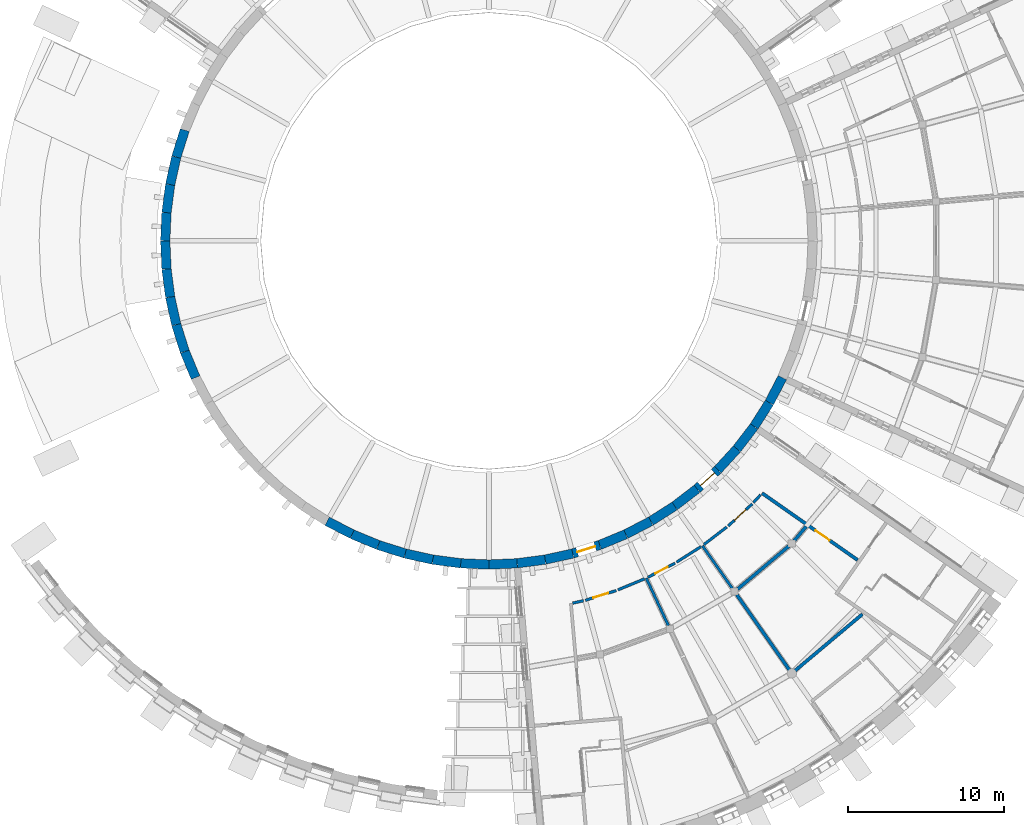
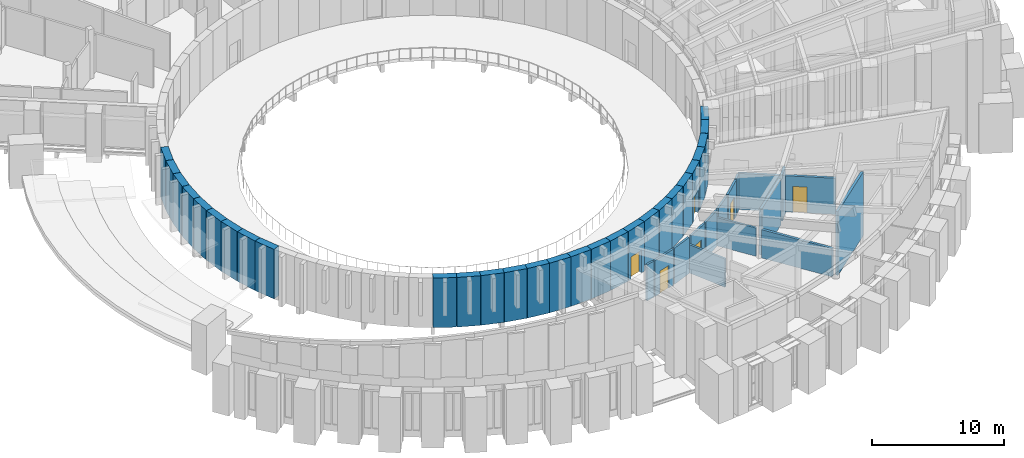
# One storey, part 25 of 50: 43 walls, 6 doors, 6 openings.
"""IFC4 building model written with IfcOpenShell, lengths in metres."""

from ifc_helpers import new_model, si_unit, direction, frame, frame_2d, origin, place, context, subcontext, project, spatial, rectangle, extrude, material, layer, layer_set, type_object, element, fill, save


model = new_model("IFC4")

# Units and contexts
model_context = context("Model", 3, precision=1e-05, world=origin(), true_north=direction((0.0, 1.0)))
body_context = subcontext(model_context, "Body", "Model", "MODEL_VIEW")
ifc_project = project(units=[si_unit("LENGTHUNIT", "METRE"), si_unit("AREAUNIT", "SQUARE_METRE"), si_unit("VOLUMEUNIT", "CUBIC_METRE"), si_unit("PLANEANGLEUNIT", "RADIAN"), si_unit("MASSUNIT", "GRAM", prefix="KILO")], contexts=[model_context])

# Site, building, storey
site_placement = place(None, origin())
site = spatial("IfcSite", under=ifc_project, at=site_placement, CompositionType="ELEMENT")
building_placement = place(site_placement, origin())
building = spatial("IfcBuilding", under=site, at=building_placement, Name="Volute Hill Aquarium", CompositionType="ELEMENT")
storey_placement = place(building_placement, frame((0.0, 0.0, 9.199951171875)))
storey = spatial("IfcBuildingStorey", under=building, at=storey_placement, Name="L03", CompositionType="ELEMENT", Elevation=9.199951171875)

# Walls
ifc_material_1 = material(Name="Gypsum board on steel studs", Category="steel")
ifc_layer_1 = layer(ifc_material_1, 0.175048828125)
ifc_layer_set_1 = layer_set([ifc_layer_1], Name="Corridor partition 175 EI 60")
wall_type_1 = type_object("IfcWallType", Name="Corridor partition 175 EI 60", PredefinedType="PARTITIONING", material=ifc_layer_set_1)
wall_1_placement = place(storey_placement, frame((11.471435546875, -24.6005859375, 0.0), z_axis=(0.0, 0.0, 1.0), x_axis=(-0.422601651571, 0.906315532301, 0.0)))
element("IfcWall", 1, at=wall_1_placement, inside=storey, type_object=wall_type_1, Name="pw/S3/L03/011", PredefinedType="PARTITIONING", context=body_context, shape_type="SweptSolid", body=[
    extrude(rectangle(XDim=3.34375, YDim=0.175048828125, at=frame_2d((1.671875, 0.0))), origin(), (0.0, 0.0, 1.0), 2.621826171875),
])
wall_2_placement = place(storey_placement, frame((15.56884765625, -22.234619140625, 0.0), z_axis=(0.0, 0.0, 1.0), x_axis=(-0.573579956171, 0.819149579673, 0.0)))
element("IfcWall", 2, at=wall_2_placement, inside=storey, type_object=wall_type_1, Name="pw/S3/L03/012", PredefinedType="PARTITIONING", context=body_context, shape_type="SweptSolid", body=[
    extrude(rectangle(XDim=3.343505859375, YDim=0.175048828125, at=frame_2d((1.671875, 0.0))), origin(), (0.0, 0.0, 1.0), 2.621826171875),
])

# Wall, opening, door
wall_3_placement = place(storey_placement, frame((16.8291015625, -16.8291015625, 0.0), z_axis=(0.0, 0.0, 1.0), x_axis=(-0.737241988031, -0.675628782013, 0.0)))
wall_3 = element("IfcWall", 3, at=wall_3_placement, inside=storey, type_object=wall_type_1, Name="pw/S3/L03/016", PredefinedType="PARTITIONING", context=body_context, shape_type="SweptSolid", body=[
    extrude(rectangle(XDim=2.076416015625, YDim=0.175048828125, at=frame_2d((1.0380859375, 0.0))), origin(), (0.0, 0.0, 1.0), 3.341552734375),
])
opening_1_placement = place(wall_3_placement, frame((0.5380859375, 0.0, 0.0)))
opening_1 = element("IfcOpeningElement", 4, at=opening_1_placement, cuts=wall_3, Name="Opening D3.03.04", PredefinedType="OPENING", context=body_context, shape_type="SweptSolid", body=[
    extrude(rectangle(XDim=1.0, YDim=2.10009765625, at=frame_2d((0.5, 1.050048828125))), frame((0.0, 0.097412109375, 0.0), z_axis=(0.0, -1.0, 0.0), x_axis=(1.0, 0.0, 0.0)), (0.0, 0.0, 1.0), 0.195068359375),
])
ifc_material_2 = material(Name="Timber, fire-rated", Category="wood")
door_type_1 = type_object("IfcDoorType", Name="Door 1000 x 2100 single EI1 30", OperationType="SINGLE_SWING_LEFT", PredefinedType="DOOR", material=ifc_material_2)
door_1_placement = place(opening_1_placement, origin())
door_1 = element("IfcDoor", 5, at=door_1_placement, inside=storey, type_object=door_type_1, Name="d/S3/L03/04", OperationType="SINGLE_SWING_RIGHT", OverallHeight=2.10009765625, OverallWidth=1.0, PredefinedType="DOOR", context=body_context, shape_type="SweptSolid", body=[
    extrude(rectangle(XDim=1.0, YDim=2.10009765625, at=frame_2d((0.5, 1.050048828125))), frame((0.0, 0.02490234375, 0.0), z_axis=(0.0, -1.0, 0.0), x_axis=(1.0, 0.0, 0.0)), (0.0, 0.0, 1.0), 0.050048828125),
])
fill(opening_1, door_1)

wall_4_placement = place(storey_placement, frame((11.89990234375, -20.611328125, 0.0), z_axis=(0.0, 0.0, 1.0), x_axis=(-0.886977909213, -0.46181185408, 0.0)))
wall_4 = element("IfcWall", 6, at=wall_4_placement, inside=storey, type_object=wall_type_1, Name="pw/S3/L03/017", PredefinedType="PARTITIONING", context=body_context, shape_type="SweptSolid", body=[
    extrude(rectangle(XDim=1.958740234375, YDim=0.175048828125, at=frame_2d((0.9794921875, 0.0))), origin(), (0.0, 0.0, 1.0), 3.343017578125),
])
opening_2_placement = place(wall_4_placement, frame((0.529296875, 0.0, 0.0)))
opening_2 = element("IfcOpeningElement", 7, at=opening_2_placement, cuts=wall_4, Name="Opening D3.03.01", PredefinedType="OPENING", context=body_context, shape_type="SweptSolid", body=[
    extrude(rectangle(XDim=0.89990234375, YDim=2.10009765625, at=frame_2d((0.449951171875, 1.050048828125))), frame((0.0, 0.097412109375, 0.0), z_axis=(0.0, -1.0, 0.0), x_axis=(1.0, 0.0, 0.0)), (0.0, 0.0, 1.0), 0.195068359375),
])
ifc_material_3 = material(Name="Timber, fire-rated", Category="wood")
door_type_2 = type_object("IfcDoorType", Name="Door 900 x 2100 wc single EI1 30", OperationType="SINGLE_SWING_LEFT", PredefinedType="DOOR", material=ifc_material_3)
door_2_placement = place(opening_2_placement, origin())
door_2 = element("IfcDoor", 8, at=door_2_placement, inside=storey, type_object=door_type_2, Name="d/S3/L03/01", OperationType="SINGLE_SWING_LEFT", OverallHeight=2.10009765625, OverallWidth=0.89990234375, PredefinedType="DOOR", context=body_context, shape_type="SweptSolid", body=[
    extrude(rectangle(XDim=0.89990234375, YDim=2.10009765625, at=frame_2d((0.449951171875, 1.050048828125))), frame((0.0, 0.02490234375, 0.0), z_axis=(0.0, -1.0, 0.0), x_axis=(1.0, 0.0, 0.0)), (0.0, 0.0, 1.0), 0.050048828125),
])
fill(opening_2, door_2)

wall_5_placement = place(storey_placement, frame((8.14013671875, -22.36474609375, 0.0), z_axis=(0.0, 0.0, 1.0), x_axis=(-0.953730050022, -0.300664250759, 0.0)))
wall_5 = element("IfcWall", 9, at=wall_5_placement, inside=storey, type_object=wall_type_1, Name="pw/S3/L03/018", PredefinedType="PARTITIONING", context=body_context, shape_type="SweptSolid", body=[
    extrude(rectangle(XDim=2.076416015625, YDim=0.175048828125, at=frame_2d((1.0380859375, 0.0))), origin(), (0.0, 0.0, 1.0), 3.341552734375),
])
opening_3_placement = place(wall_5_placement, frame((0.5380859375, 0.0, 0.0)))
opening_3 = element("IfcOpeningElement", 10, at=opening_3_placement, cuts=wall_5, Name="Opening D3.03.02", PredefinedType="OPENING", context=body_context, shape_type="SweptSolid", body=[
    extrude(rectangle(XDim=1.0, YDim=2.10009765625, at=frame_2d((0.5, 1.050048828125))), frame((0.0, 0.097412109375, 0.0), z_axis=(0.0, -1.0, 0.0), x_axis=(1.0, 0.0, 0.0)), (0.0, 0.0, 1.0), 0.195068359375),
])
door_3_placement = place(opening_3_placement, origin())
door_3 = element("IfcDoor", 11, at=door_3_placement, inside=storey, type_object=door_type_1, Name="d/S3/L03/02", OperationType="SINGLE_SWING_RIGHT", OverallHeight=2.10009765625, OverallWidth=1.0, PredefinedType="DOOR", context=body_context, shape_type="SweptSolid", body=[
    extrude(rectangle(XDim=1.0, YDim=2.10009765625, at=frame_2d((0.5, 1.050048828125))), frame((0.0, 0.02490234375, 0.0), z_axis=(0.0, -1.0, 0.0), x_axis=(1.0, 0.0, 0.0)), (0.0, 0.0, 1.0), 0.050048828125),
])
fill(opening_3, door_3)

# Walls
for number, where, z_axis, x_axis, name in (
    (12, (13.552001953125, -19.558837890625, 0.0), (0.0, 0.0, 1.0), (-0.843355631899, -0.537355820797, 0.0), "pw/S3/L03/019"),
    (13, (9.94970703125, -21.614990234375, 0.0), (0.0, 0.0, 1.0), (-0.923890787601, -0.382656259044, 0.0), "pw/S3/L03/020"),
):
    element("IfcWall", number, at=place(storey_placement, frame(where, z_axis=z_axis, x_axis=x_axis)), inside=storey, type_object=wall_type_1, Name=name, PredefinedType="PARTITIONING", context=body_context, shape_type="SweptSolid", body=[
        extrude(rectangle(XDim=1.84130859375, YDim=0.175048828125, at=frame_2d((0.920654296875, 0.0))), origin(), (0.0, 0.0, 1.0), 3.343017578125),
    ])
wall_6_placement = place(storey_placement, frame((15.205078125, -18.303466796875, 0.0), z_axis=(0.0, 0.0, 1.0), x_axis=(-0.793348048489, -0.608768325357, 0.0)))
element("IfcWall", 14, at=wall_6_placement, inside=storey, type_object=wall_type_1, Name="pw/S3/L03/021", PredefinedType="PARTITIONING", context=body_context, shape_type="SweptSolid", body=[
    extrude(rectangle(XDim=1.841064453125, YDim=0.175048828125, at=frame_2d((0.92041015625, 0.0))), origin(), (0.0, 0.0, 1.0), 3.343017578125),
])
wall_7_placement = place(storey_placement, frame((6.045166015625, -23.014404296875, 0.0), z_axis=(0.0, 0.0, 1.0), x_axis=(-0.976284608058, -0.216491025379, 0.0)))
element("IfcWall", 15, at=wall_7_placement, inside=storey, type_object=wall_type_1, Name="pw/S3/L03/026", PredefinedType="PARTITIONING", context=body_context, shape_type="SweptSolid", body=[
    extrude(rectangle(XDim=0.7060546875, YDim=0.175048828125, at=frame_2d((0.35302734375, 0.0))), origin(), (0.0, 0.0, 1.0), 3.343017578125),
])
wall_8_placement = place(storey_placement, frame((17.371826171875, -16.23681640625, 0.0), z_axis=(0.0, 0.0, 1.0), x_axis=(-0.67564402595, -0.737228017778, 0.0)))
element("IfcWall", 16, at=wall_8_placement, inside=storey, type_object=wall_type_1, Name="pw/S3/L03/027", PredefinedType="PARTITIONING", context=body_context, shape_type="SweptSolid", body=[
    extrude(rectangle(XDim=0.685791015625, YDim=0.175048828125, at=frame_2d((0.3427734375, 0.0))), origin(), (0.0, 0.0, 1.0), 3.343017578125),
])
ifc_material_4 = material(Name="Concrete C35/45", Category="concrete")
ifc_layer_2 = layer(ifc_material_4, 0.60009765625)
ifc_layer_set_2 = layer_set([ifc_layer_2], Name="Drum wall C35/45 600")
wall_type_2 = type_object("IfcWallType", Name="Drum wall C35/45 600", PredefinedType="SHEAR", material=ifc_layer_set_2)
wall_9_placement = place(storey_placement, frame((-19.45166015625, 7.079833984375, 0.0), z_axis=(0.0, 0.0, 1.0), x_axis=(-0.300691330354, -0.953721512733, 0.0)))
element("IfcWall", 17, at=wall_9_placement, inside=storey, type_object=wall_type_2, Name="sw/DR/L03/32", PredefinedType="SHEAR", context=body_context, shape_type="SweptSolid", body=[
    extrude(rectangle(XDim=1.8056640625, YDim=0.60009765625, at=frame_2d((0.90283203125, 0.0))), origin(), (0.0, 0.0, 1.0), 4.60009765625),
])
wall_10_placement = place(storey_placement, frame((-19.99462890625, 5.357666015625, 0.0), z_axis=(0.0, 0.0, 1.0), x_axis=(-0.216429453554, -0.976298259567, 0.0)))
element("IfcWall", 18, at=wall_10_placement, inside=storey, type_object=wall_type_2, Name="sw/DR/L03/33", PredefinedType="SHEAR", context=body_context, shape_type="SweptSolid", body=[
    extrude(rectangle(XDim=1.805908203125, YDim=0.60009765625, at=frame_2d((0.90283203125, 0.0))), origin(), (0.0, 0.0, 1.0), 4.60009765625),
])
wall_11_placement = place(storey_placement, frame((-20.385498046875, 3.594482421875, 0.0), z_axis=(0.0, 0.0, 1.0), x_axis=(-0.130471999813, -0.991451994433, 0.0)))
element("IfcWall", 19, at=wall_11_placement, inside=storey, type_object=wall_type_2, Name="sw/DR/L03/34", PredefinedType="SHEAR", context=body_context, shape_type="SweptSolid", body=[
    extrude(rectangle(XDim=1.8056640625, YDim=0.60009765625, at=frame_2d((0.90283203125, 0.0))), origin(), (0.0, 0.0, 1.0), 4.60009765625),
])
for number, where, z_axis, x_axis, name in (
    (20, (-20.62109375, 1.80419921875, 0.0), (0.0, 0.0, 1.0), (-0.043666024022, -0.999046184291, 0.0), "sw/DR/L03/35"),
    (21, (-20.699951171875, 0.0, 0.0), (0.0, 0.0, 1.0), (0.043666024022, -0.999046184291, 0.0), "sw/DR/L03/36"),
):
    element("IfcWall", number, at=place(storey_placement, frame(where, z_axis=z_axis, x_axis=x_axis)), inside=storey, type_object=wall_type_2, Name=name, PredefinedType="SHEAR", context=body_context, shape_type="SweptSolid", body=[
        extrude(rectangle(XDim=1.805908203125, YDim=0.60009765625, at=frame_2d((0.90283203125, 0.0))), origin(), (0.0, 0.0, 1.0), 4.60009765625),
    ])
wall_12_placement = place(storey_placement, frame((-20.62109375, -1.80419921875, 0.0), z_axis=(0.0, 0.0, 1.0), x_axis=(0.130471999813, -0.991451994433, 0.0)))
element("IfcWall", 22, at=wall_12_placement, inside=storey, type_object=wall_type_2, Name="sw/DR/L03/37", PredefinedType="SHEAR", context=body_context, shape_type="SweptSolid", body=[
    extrude(rectangle(XDim=1.8056640625, YDim=0.60009765625, at=frame_2d((0.90283203125, 0.0))), origin(), (0.0, 0.0, 1.0), 4.60009765625),
])
wall_13_placement = place(storey_placement, frame((-20.385498046875, -3.594482421875, 0.0), z_axis=(0.0, 0.0, 1.0), x_axis=(0.216429453554, -0.976298259567, 0.0)))
element("IfcWall", 23, at=wall_13_placement, inside=storey, type_object=wall_type_2, Name="sw/DR/L03/38", PredefinedType="SHEAR", context=body_context, shape_type="SweptSolid", body=[
    extrude(rectangle(XDim=1.805908203125, YDim=0.60009765625, at=frame_2d((0.90283203125, 0.0))), origin(), (0.0, 0.0, 1.0), 4.60009765625),
])
wall_14_placement = place(storey_placement, frame((-19.99462890625, -5.357666015625, 0.0), z_axis=(0.0, 0.0, 1.0), x_axis=(0.300691330354, -0.953721512733, 0.0)))
element("IfcWall", 24, at=wall_14_placement, inside=storey, type_object=wall_type_2, Name="sw/DR/L03/39", PredefinedType="SHEAR", context=body_context, shape_type="SweptSolid", body=[
    extrude(rectangle(XDim=1.8056640625, YDim=0.60009765625, at=frame_2d((0.90283203125, 0.0))), origin(), (0.0, 0.0, 1.0), 4.60009765625),
])
for number, where, z_axis, x_axis, name in (
    (25, (-19.45166015625, -7.079833984375, 0.0), (0.0, 0.0, 1.0), (0.382713954298, -0.923866889322, 0.0), "sw/DR/L03/40"),
    (26, (-10.35009765625, -17.9267578125, 0.0), (0.0, 0.0, 1.0), (0.887035219654, -0.461701764231, 0.0), "sw/DR/L03/48"),
    (27, (-8.748291015625, -18.760498046875, 0.0), (0.0, 0.0, 1.0), (0.923866889322, -0.382713954298, 0.0), "sw/DR/L03/49"),
):
    element("IfcWall", number, at=place(storey_placement, frame(where, z_axis=z_axis, x_axis=x_axis)), inside=storey, type_object=wall_type_2, Name=name, PredefinedType="SHEAR", context=body_context, shape_type="SweptSolid", body=[
        extrude(rectangle(XDim=1.805908203125, YDim=0.60009765625, at=frame_2d((0.90283203125, 0.0))), origin(), (0.0, 0.0, 1.0), 4.60009765625),
    ])
wall_15_placement = place(storey_placement, frame((-7.079833984375, -19.45166015625, 0.0), z_axis=(0.0, 0.0, 1.0), x_axis=(0.953721512733, -0.300691330354, 0.0)))
element("IfcWall", 28, at=wall_15_placement, inside=storey, type_object=wall_type_2, Name="sw/DR/L03/50", PredefinedType="SHEAR", context=body_context, shape_type="SweptSolid", body=[
    extrude(rectangle(XDim=1.8056640625, YDim=0.60009765625, at=frame_2d((0.90283203125, 0.0))), origin(), (0.0, 0.0, 1.0), 4.60009765625),
])
wall_16_placement = place(storey_placement, frame((-5.357666015625, -19.99462890625, 0.0), z_axis=(0.0, 0.0, 1.0), x_axis=(0.976298259567, -0.216429453554, 0.0)))
element("IfcWall", 29, at=wall_16_placement, inside=storey, type_object=wall_type_2, Name="sw/DR/L03/51", PredefinedType="SHEAR", context=body_context, shape_type="SweptSolid", body=[
    extrude(rectangle(XDim=1.805908203125, YDim=0.60009765625, at=frame_2d((0.90283203125, 0.0))), origin(), (0.0, 0.0, 1.0), 4.60009765625),
])
wall_17_placement = place(storey_placement, frame((-3.594482421875, -20.385498046875, 0.0), z_axis=(0.0, 0.0, 1.0), x_axis=(0.991451994433, -0.130471999813, 0.0)))
element("IfcWall", 30, at=wall_17_placement, inside=storey, type_object=wall_type_2, Name="sw/DR/L03/52", PredefinedType="SHEAR", context=body_context, shape_type="SweptSolid", body=[
    extrude(rectangle(XDim=1.8056640625, YDim=0.60009765625, at=frame_2d((0.90283203125, 0.0))), origin(), (0.0, 0.0, 1.0), 4.60009765625),
])
for number, where, z_axis, x_axis, name in (
    (31, (-1.80419921875, -20.62109375, 0.0), (0.0, 0.0, 1.0), (0.999046184291, -0.043666024022, 0.0), "sw/DR/L03/53"),
    (32, (0.0, -20.699951171875, 0.0), (0.0, 0.0, 1.0), (0.999046184291, 0.043666024022, 0.0), "sw/DR/L03/54"),
):
    element("IfcWall", number, at=place(storey_placement, frame(where, z_axis=z_axis, x_axis=x_axis)), inside=storey, type_object=wall_type_2, Name=name, PredefinedType="SHEAR", context=body_context, shape_type="SweptSolid", body=[
        extrude(rectangle(XDim=1.805908203125, YDim=0.60009765625, at=frame_2d((0.90283203125, 0.0))), origin(), (0.0, 0.0, 1.0), 4.60009765625),
    ])
wall_18_placement = place(storey_placement, frame((1.80419921875, -20.62109375, 0.0), z_axis=(0.0, 0.0, 1.0), x_axis=(0.991451994433, 0.130471999813, 0.0)))
element("IfcWall", 33, at=wall_18_placement, inside=storey, type_object=wall_type_2, Name="sw/DR/L03/55", PredefinedType="SHEAR", context=body_context, shape_type="SweptSolid", body=[
    extrude(rectangle(XDim=1.8056640625, YDim=0.60009765625, at=frame_2d((0.90283203125, 0.0))), origin(), (0.0, 0.0, 1.0), 4.60009765625),
])
wall_19_placement = place(storey_placement, frame((3.594482421875, -20.385498046875, 0.0), z_axis=(0.0, 0.0, 1.0), x_axis=(0.976298259567, 0.216429453554, 0.0)))
element("IfcWall", 34, at=wall_19_placement, inside=storey, type_object=wall_type_2, Name="sw/DR/L03/56", PredefinedType="SHEAR", context=body_context, shape_type="SweptSolid", body=[
    extrude(rectangle(XDim=1.805908203125, YDim=0.60009765625, at=frame_2d((0.90283203125, 0.0))), origin(), (0.0, 0.0, 1.0), 4.60009765625),
])

# Wall, opening, door
wall_20_placement = place(storey_placement, frame((5.357666015625, -19.99462890625, 0.0), z_axis=(0.0, 0.0, 1.0), x_axis=(0.953721512733, 0.300691330354, 0.0)))
wall_20 = element("IfcWall", 35, at=wall_20_placement, inside=storey, type_object=wall_type_2, Name="sw/DR/L03/57", PredefinedType="SHEAR", context=body_context, shape_type="SweptSolid", body=[
    extrude(rectangle(XDim=1.8056640625, YDim=0.60009765625, at=frame_2d((0.90283203125, 0.0))), origin(), (0.0, 0.0, 1.0), 4.60009765625),
])
opening_4_placement = place(wall_20_placement, frame((0.302978515625, 0.0, 0.0)))
opening_4 = element("IfcOpeningElement", 36, at=opening_4_placement, cuts=wall_20, Name="Opening D3.03.R1", PredefinedType="OPENING", context=body_context, shape_type="SweptSolid", body=[
    extrude(rectangle(XDim=1.199951171875, YDim=2.10009765625, at=frame_2d((0.60009765625, 1.050048828125))), frame((0.0, 0.31005859375, 0.0), z_axis=(0.0, -1.0, 0.0), x_axis=(1.0, 0.0, 0.0)), (0.0, 0.0, 1.0), 0.6201171875),
])
ifc_material_5 = material(Name="Timber", Category="wood")
door_type_3 = type_object("IfcDoorType", Name="Door 1200 x 2100 drum double", OperationType="DOUBLE_DOOR_SINGLE_SWING", PredefinedType="DOOR", material=ifc_material_5)
door_4_placement = place(opening_4_placement, origin())
door_4 = element("IfcDoor", 37, at=door_4_placement, inside=storey, type_object=door_type_3, Name="d/S3/L03/dr1", OperationType="SINGLE_SWING_LEFT", OverallHeight=2.10009765625, OverallWidth=1.199951171875, PredefinedType="DOOR", context=body_context, shape_type="SweptSolid", body=[
    extrude(rectangle(XDim=1.199951171875, YDim=2.10009765625, at=frame_2d((0.60009765625, 1.050048828125))), frame((0.0, 0.02490234375, 0.0), z_axis=(0.0, -1.0, 0.0), x_axis=(1.0, 0.0, 0.0)), (0.0, 0.0, 1.0), 0.050048828125),
])
fill(opening_4, door_4)

# Walls
for number, where, z_axis, x_axis, name in (
    (38, (7.079833984375, -19.45166015625, 0.0), (0.0, 0.0, 1.0), (0.923866889322, 0.382713954298, 0.0), "sw/DR/L03/58"),
    (39, (8.748291015625, -18.760498046875, 0.0), (0.0, 0.0, 1.0), (0.887035219654, 0.461701764231, 0.0), "sw/DR/L03/59"),
    (40, (10.35009765625, -17.9267578125, 0.0), (0.0, 0.0, 1.0), (0.843332890803, 0.537391510251, 0.0), "sw/DR/L03/60"),
):
    element("IfcWall", number, at=place(storey_placement, frame(where, z_axis=z_axis, x_axis=x_axis)), inside=storey, type_object=wall_type_2, Name=name, PredefinedType="SHEAR", context=body_context, shape_type="SweptSolid", body=[
        extrude(rectangle(XDim=1.805908203125, YDim=0.60009765625, at=frame_2d((0.90283203125, 0.0))), origin(), (0.0, 0.0, 1.0), 4.60009765625),
    ])
wall_21_placement = place(storey_placement, frame((11.873046875, -16.956298828125, 0.0), z_axis=(0.0, 0.0, 1.0), x_axis=(0.793397400526, 0.608704004289, 0.0)))
element("IfcWall", 41, at=wall_21_placement, inside=storey, type_object=wall_type_2, Name="sw/DR/L03/61", PredefinedType="SHEAR", context=body_context, shape_type="SweptSolid", body=[
    extrude(rectangle(XDim=1.8056640625, YDim=0.60009765625, at=frame_2d((0.90283203125, 0.0))), origin(), (0.0, 0.0, 1.0), 4.60009765625),
])

# Wall, opening, door
wall_22_placement = place(storey_placement, frame((13.3056640625, -15.857177734375, 0.0), z_axis=(0.0, 0.0, 1.0), x_axis=(0.737322466268, 0.675540954152, 0.0)))
wall_22 = element("IfcWall", 42, at=wall_22_placement, inside=storey, type_object=wall_type_2, Name="sw/DR/L03/62", PredefinedType="SHEAR", context=body_context, shape_type="SweptSolid", body=[
    extrude(rectangle(XDim=1.805908203125, YDim=0.60009765625, at=frame_2d((0.90283203125, 0.0))), origin(), (0.0, 0.0, 1.0), 4.60009765625),
])
opening_5_placement = place(wall_22_placement, frame((0.302978515625, 0.0, 0.0)))
opening_5 = element("IfcOpeningElement", 43, at=opening_5_placement, cuts=wall_22, Name="Opening D3.03.R2", PredefinedType="OPENING", context=body_context, shape_type="SweptSolid", body=[
    extrude(rectangle(XDim=1.199951171875, YDim=2.10009765625, at=frame_2d((0.60009765625, 1.050048828125))), frame((0.0, 0.31005859375, 0.0), z_axis=(0.0, -1.0, 0.0), x_axis=(1.0, 0.0, 0.0)), (0.0, 0.0, 1.0), 0.6201171875),
])
door_5_placement = place(opening_5_placement, origin())
door_5 = element("IfcDoor", 44, at=door_5_placement, inside=storey, type_object=door_type_3, Name="d/S3/L03/dr2", OperationType="SINGLE_SWING_LEFT", OverallHeight=2.10009765625, OverallWidth=1.199951171875, PredefinedType="DOOR", context=body_context, shape_type="SweptSolid", body=[
    extrude(rectangle(XDim=1.199951171875, YDim=2.10009765625, at=frame_2d((0.60009765625, 1.050048828125))), frame((0.0, 0.02490234375, 0.0), z_axis=(0.0, -1.0, 0.0), x_axis=(1.0, 0.0, 0.0)), (0.0, 0.0, 1.0), 0.050048828125),
])
fill(opening_5, door_5)

# Walls
wall_23_placement = place(storey_placement, frame((14.63720703125, -14.63720703125, 0.0), z_axis=(0.0, 0.0, 1.0), x_axis=(0.675540954152, 0.737322466268, 0.0)))
element("IfcWall", 45, at=wall_23_placement, inside=storey, type_object=wall_type_2, Name="sw/DR/L03/63", PredefinedType="SHEAR", context=body_context, shape_type="SweptSolid", body=[
    extrude(rectangle(XDim=1.805908203125, YDim=0.60009765625, at=frame_2d((0.90283203125, 0.0))), origin(), (0.0, 0.0, 1.0), 4.60009765625),
])
wall_24_placement = place(storey_placement, frame((15.857177734375, -13.3056640625, 0.0), z_axis=(0.0, 0.0, 1.0), x_axis=(0.608704004289, 0.793397400526, 0.0)))
element("IfcWall", 46, at=wall_24_placement, inside=storey, type_object=wall_type_2, Name="sw/DR/L03/64", PredefinedType="SHEAR", context=body_context, shape_type="SweptSolid", body=[
    extrude(rectangle(XDim=1.8056640625, YDim=0.60009765625, at=frame_2d((0.90283203125, 0.0))), origin(), (0.0, 0.0, 1.0), 4.60009765625),
])
for number, where, z_axis, x_axis, name in (
    (47, (16.956298828125, -11.873046875, 0.0), (0.0, 0.0, 1.0), (0.537391510251, 0.843332890803, 0.0), "sw/DR/L03/65"),
    (48, (17.9267578125, -10.35009765625, 0.0), (0.0, 0.0, 1.0), (0.461701764231, 0.887035219654, 0.0), "sw/DR/L03/66"),
):
    element("IfcWall", number, at=place(storey_placement, frame(where, z_axis=z_axis, x_axis=x_axis)), inside=storey, type_object=wall_type_2, Name=name, PredefinedType="SHEAR", context=body_context, shape_type="SweptSolid", body=[
        extrude(rectangle(XDim=1.805908203125, YDim=0.60009765625, at=frame_2d((0.90283203125, 0.0))), origin(), (0.0, 0.0, 1.0), 4.60009765625),
    ])

# Wall, opening, door
ifc_material_6 = material(Name="Masonry blockwork", Category="masonry")
ifc_layer_3 = layer(ifc_material_6, 0.215087890625)
ifc_layer_set_3 = layer_set([ifc_layer_3], Name="Plant room wall 215 EI 60")
wall_type_3 = type_object("IfcWallType", Name="Plant room wall 215 EI 60", PredefinedType="PARTITIONING", material=ifc_layer_set_3)
wall_25_placement = place(storey_placement, frame((23.57470703125, -20.41357421875, 0.0), z_axis=(0.0, 0.0, 1.0), x_axis=(-0.819168869171, 0.573552407179, 0.0)))
wall_25 = element("IfcWall", 49, at=wall_25_placement, inside=storey, type_object=wall_type_3, Name="pw/S3/L03/001", PredefinedType="PARTITIONING", context=body_context, shape_type="SweptSolid", body=[
    extrude(rectangle(XDim=7.458984375, YDim=0.215087890625, at=frame_2d((3.7294921875, 0.0))), origin(), (0.0, 0.0, 1.0), 3.352294921875),
])
opening_6_placement = place(wall_25_placement, frame((2.179443359375, 0.0, 0.0)))
opening_6 = element("IfcOpeningElement", 50, at=opening_6_placement, cuts=wall_25, Name="Opening D3.03.05", PredefinedType="OPENING", context=body_context, shape_type="SweptSolid", body=[
    extrude(rectangle(XDim=1.10009765625, YDim=2.39990234375, at=frame_2d((0.550048828125, 1.199951171875))), frame((0.0, 0.117431640625, 0.0), z_axis=(0.0, -1.0, 0.0), x_axis=(1.0, 0.0, 0.0)), (0.0, 0.0, 1.0), 0.235107421875),
])
ifc_material_7 = material(Name="Steel, fire-rated", Category="steel")
door_type_4 = type_object("IfcDoorType", Name="Door 1100 x 2400 plant room EI1 30", OperationType="SINGLE_SWING_LEFT", PredefinedType="DOOR", material=ifc_material_7)
door_6_placement = place(opening_6_placement, origin())
door_6 = element("IfcDoor", 51, at=door_6_placement, inside=storey, type_object=door_type_4, Name="d/S3/L03/05", OperationType="SINGLE_SWING_LEFT", OverallHeight=2.39990234375, OverallWidth=1.10009765625, PredefinedType="DOOR", context=body_context, shape_type="SweptSolid", body=[
    extrude(rectangle(XDim=1.10009765625, YDim=2.39990234375, at=frame_2d((0.550048828125, 1.199951171875))), frame((0.0, 0.02490234375, 0.0), z_axis=(0.0, -1.0, 0.0), x_axis=(1.0, 0.0, 0.0)), (0.0, 0.0, 1.0), 0.050048828125),
])
fill(opening_6, door_6)

# Walls
wall_26_placement = place(storey_placement, frame((19.230224609375, -27.463623046875, 0.0), z_axis=(0.0, 0.0, 1.0), x_axis=(-0.573565028322, 0.819160032158, 0.0)))
element("IfcWall", 52, at=wall_26_placement, inside=storey, type_object=wall_type_3, Name="pw/S3/L03/003", PredefinedType="PARTITIONING", context=body_context, shape_type="SweptSolid", body=[
    extrude(rectangle(XDim=5.90380859375, YDim=0.215087890625, at=frame_2d((2.951904296875, 0.0))), origin(), (0.0, 0.0, 1.0), 2.621826171875),
])
wall_27_placement = place(storey_placement, frame((23.876708984375, -23.876708984375, 0.0), z_axis=(0.0, 0.0, 1.0), x_axis=(-0.766054856191, -0.642775199666, 0.0)))
element("IfcWall", 53, at=wall_27_placement, inside=storey, type_object=wall_type_3, Name="pw/S3/L03/005", PredefinedType="PARTITIONING", context=body_context, shape_type="SweptSolid", body=[
    extrude(rectangle(XDim=5.64599609375, YDim=0.215087890625, at=frame_2d((2.822998046875, 0.0))), origin(), (0.0, 0.0, 1.0), 5.904052734375),
])
wall_28_placement = place(storey_placement, frame((19.17919921875, -19.51708984375, 0.0), z_axis=(0.0, 0.0, 1.0), x_axis=(-0.766054249298, -0.642775922956, 0.0)))
element("IfcWall", 54, at=wall_28_placement, inside=storey, type_object=wall_type_3, Name="pw/S3/L03/008", PredefinedType="PARTITIONING", context=body_context, shape_type="SweptSolid", body=[
    extrude(rectangle(XDim=4.29345703125, YDim=0.215087890625, at=frame_2d((2.146728515625, 0.0))), origin(), (0.0, 0.0, 1.0), 4.262939453125),
])
wall_29_placement = place(storey_placement, frame((20.27783203125, -18.2724609375, 0.0), z_axis=(0.0, 0.0, 1.0), x_axis=(-0.642737250259, -0.766086696875, 0.0)))
element("IfcWall", 55, at=wall_29_placement, inside=storey, type_object=wall_type_3, Name="pw/S3/L03/025", PredefinedType="PARTITIONING", context=body_context, shape_type="SweptSolid", body=[
    extrude(rectangle(XDim=1.18359375, YDim=0.215087890625, at=frame_2d((0.591796875, 0.0))), origin(), (0.0, 0.0, 1.0), 4.262939453125),
])

save(model, "model.ifc")
